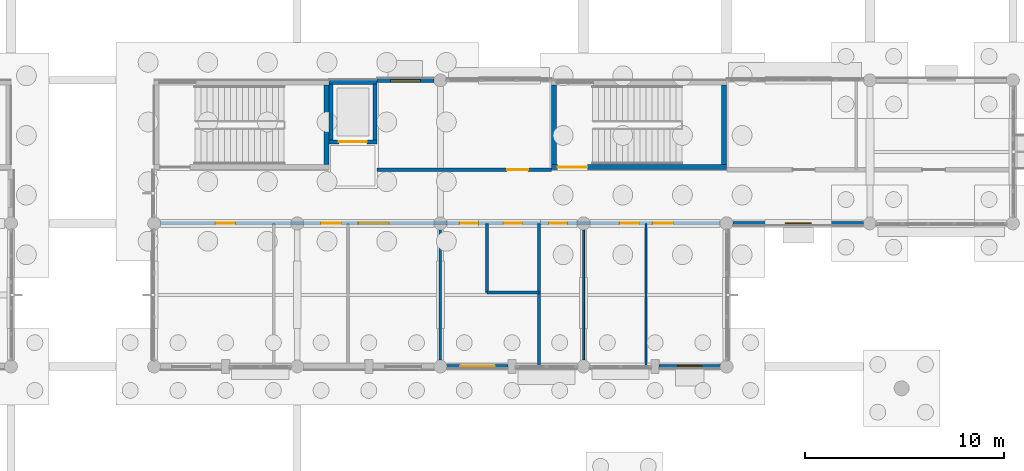
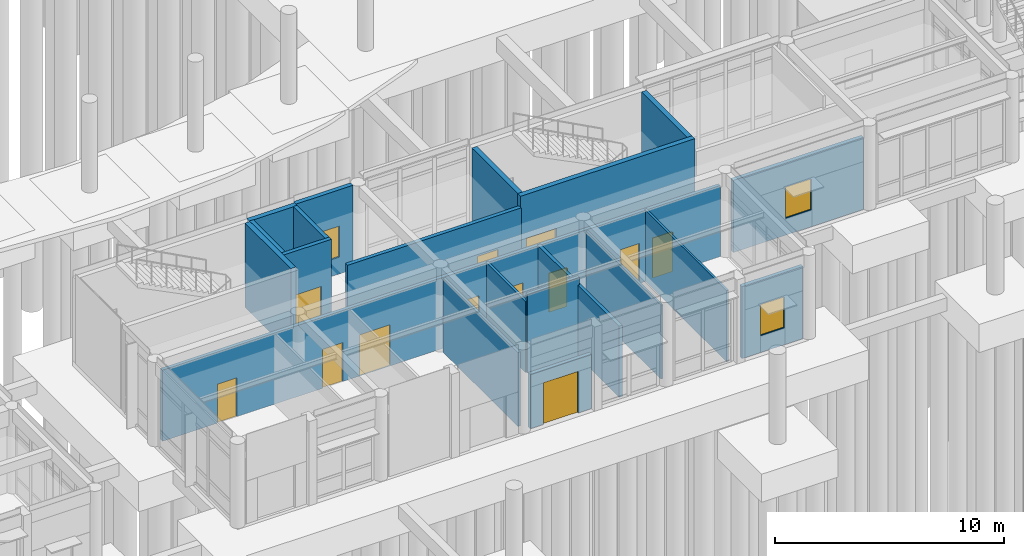
# One storey, part 55 of 103: 20 walls, 12 doors, 3 windows, 15 openings.
"""IFC4 building model written with IfcOpenShell, lengths in metres."""

from ifc_helpers import new_model, si_unit, direction, frame, frame_2d, origin, place, context, subcontext, project, spatial, rectangle, extrude, material, layer, layer_set, type_object, element, fill, save


model = new_model("IFC4")

# Units and contexts
model_context = context("Model", 3, precision=1e-05, world=origin(), true_north=direction((0.0, 1.0)))
body_context = subcontext(model_context, "Body", "Model", "MODEL_VIEW")
ifc_project = project(units=[si_unit("LENGTHUNIT", "METRE"), si_unit("AREAUNIT", "SQUARE_METRE"), si_unit("VOLUMEUNIT", "CUBIC_METRE"), si_unit("PLANEANGLEUNIT", "RADIAN"), si_unit("MASSUNIT", "GRAM", prefix="KILO")], contexts=[model_context])

# Site, building, storey
site_placement = place(None, origin())
site = spatial("IfcSite", under=ifc_project, at=site_placement, CompositionType="ELEMENT")
building_placement = place(site_placement, origin())
building = spatial("IfcBuilding", under=site, at=building_placement, Name="Namkhue Oval Health Centre", CompositionType="ELEMENT")
storey_placement = place(building_placement, origin())
storey = spatial("IfcBuildingStorey", under=building, at=storey_placement, Name="L00", CompositionType="ELEMENT", Elevation=0.0)

# Wall, opening, door
ifc_material_1 = material(Name="Autoclaved aerated concrete blockwork M7.5", Category="masonry")
ifc_layer_1 = layer(ifc_material_1, 0.179931640625)
ifc_layer_set_1 = layer_set([ifc_layer_1], Name="Autoclaved aerated concrete blockwork M7.5")
wall_type_1 = type_object("IfcWallType", Name="EXTERIOR ENVELOPE WALL 180", PredefinedType="STANDARD", material=ifc_layer_set_1)
wall_1_placement = place(storey_placement, frame((108.320068359375, 14.39990234375, 0.0), z_axis=(0.0, 0.0, 1.0), x_axis=(1.0, 0.0, 0.0)))
wall_1 = element("IfcWall", 1, at=wall_1_placement, inside=storey, type_object=wall_type_1, Name="Volume V5 L00 Exterior Envelope Wall 113", PredefinedType="STANDARD", context=body_context, shape_type="SweptSolid", body=[
    extrude(rectangle(XDim=3.083984375, YDim=0.179931640625, at=frame_2d((1.5419921875, 0.0))), origin(), (0.0, 0.0, 1.0), 2.89990234375),
])
opening_1_placement = place(wall_1_placement, frame((0.6669921875, 0.0, 0.0)))
opening_1 = element("IfcOpeningElement", 2, at=opening_1_placement, cuts=wall_1, Name="Opening ED-03", PredefinedType="OPENING", context=body_context, shape_type="SweptSolid", body=[
    extrude(rectangle(XDim=1.75, YDim=2.219970703125, at=frame_2d((0.875, 1.10986328125))), frame((0.0, 0.099853515625, 0.0), z_axis=(0.0, -1.0, 0.0), x_axis=(1.0, 0.0, 0.0)), (0.0, 0.0, 1.0), 0.199951171875),
])
ifc_material_2 = material(Name="Anodised aluminium glazed entrance door", Category="aluminium")
door_type_1 = type_object("IfcDoorType", Name="ENTRANCE DOOR 1750X2220", OperationType="DOUBLE_DOOR_SINGLE_SWING", PredefinedType="DOOR", material=ifc_material_2)
door_1_placement = place(opening_1_placement, frame((1.75, 0.0, 0.0), z_axis=(0.0, 0.0, 1.0), x_axis=(-1.0, 0.0, 0.0)))
door_1 = element("IfcDoor", 3, at=door_1_placement, inside=storey, type_object=door_type_1, Name="Volume V5 Main Pedestrian Entrance Exit Door 15", OperationType="DOUBLE_DOOR_SINGLE_SWING", OverallHeight=2.219970703125, OverallWidth=1.75, PredefinedType="DOOR", context=body_context, shape_type="SweptSolid", body=[
    extrude(rectangle(XDim=1.75, YDim=2.219970703125, at=frame_2d((0.875, 1.10986328125))), frame((0.0, 0.02490234375, 0.0), z_axis=(0.0, -1.0, 0.0), x_axis=(1.0, 0.0, 0.0)), (0.0, 0.0, 1.0), 0.050048828125),
])
fill(opening_1, door_1)

# Wall, opening, window
ifc_layer_2 = layer(ifc_material_1, 0.18994140625)
ifc_layer_set_2 = layer_set([ifc_layer_2], Name="Autoclaved aerated concrete blockwork M7.5")
wall_type_2 = type_object("IfcWallType", Name="EXTERIOR ENVELOPE WALL 190", PredefinedType="STANDARD", material=ifc_layer_set_2)
wall_2_placement = place(storey_placement, frame((118.99609375, 14.39990234375, 0.0), z_axis=(0.0, 0.0, 1.0), x_axis=(1.0, 0.0, 0.0)))
wall_2 = element("IfcWall", 4, at=wall_2_placement, inside=storey, type_object=wall_type_2, Name="Volume V5 L00 Exterior Envelope Wall 114", PredefinedType="STANDARD", context=body_context, shape_type="SweptSolid", body=[
    extrude(rectangle(XDim=3.083984375, YDim=0.18994140625, at=frame_2d((1.5419921875, 0.0))), origin(), (0.0, 0.0, 1.0), 3.844970703125),
])
opening_2_placement = place(wall_2_placement, frame((0.94189453125, 0.0, 0.89990234375)))
opening_2 = element("IfcOpeningElement", 5, at=opening_2_placement, cuts=wall_2, Name="Opening WN-31", PredefinedType="OPENING", context=body_context, shape_type="SweptSolid", body=[
    extrude(rectangle(XDim=1.199951171875, YDim=1.659912109375, at=frame_2d((0.60009765625, 0.830078125))), frame((0.0, 0.10498046875, 0.0), z_axis=(0.0, -1.0, 0.0), x_axis=(1.0, 0.0, 0.0)), (0.0, 0.0, 1.0), 0.2099609375),
])
ifc_material_3 = material(Name="Thermally broken low-E laminated double glazing", Category="glass")
window_type_1 = type_object("IfcWindowType", Name="EXTERIOR WINDOW 1200X1660", PartitioningType="SINGLE_PANEL", PredefinedType="WINDOW", material=ifc_material_3)
window_1_placement = place(opening_2_placement, origin())
window_1 = element("IfcWindow", 6, at=window_1_placement, inside=storey, type_object=window_type_1, Name="Volume V5 L00 Exterior Window 76", OverallHeight=1.659912109375, OverallWidth=1.199951171875, PartitioningType="SINGLE_PANEL", PredefinedType="WINDOW", context=body_context, shape_type="SweptSolid", body=[
    extrude(rectangle(XDim=1.199951171875, YDim=1.659912109375, at=frame_2d((0.60009765625, 0.830078125))), frame((0.0, 0.030029296875, 0.0), z_axis=(0.0, -1.0, 0.0), x_axis=(1.0, 0.0, 0.0)), (0.0, 0.0, 1.0), 0.06005859375),
])
fill(opening_2, window_1)

ifc_layer_3 = layer(ifc_material_1, 0.199951171875)
ifc_layer_set_3 = layer_set([ifc_layer_3], Name="Autoclaved aerated concrete blockwork M7.5")
wall_type_3 = type_object("IfcWallType", Name="EXTERIOR ENVELOPE WALL 200", PredefinedType="STANDARD", material=ifc_layer_set_3)
wall_3_placement = place(storey_placement, frame((122.719970703125, 21.60009765625, 0.0), z_axis=(0.0, 0.0, 1.0), x_axis=(1.0, 0.0, 0.0)))
wall_3 = element("IfcWall", 7, at=wall_3_placement, inside=storey, type_object=wall_type_3, Name="Volume V5 L00 Exterior Envelope Wall 115", PredefinedType="STANDARD", context=body_context, shape_type="SweptSolid", body=[
    extrude(rectangle(XDim=6.56005859375, YDim=0.199951171875, at=frame_2d((3.280029296875, 0.0))), origin(), (0.0, 0.0, 1.0), 3.844970703125),
])
opening_3_placement = place(wall_3_placement, frame((2.6298828125, 0.0, 0.89990234375)))
opening_3 = element("IfcOpeningElement", 8, at=opening_3_placement, cuts=wall_3, Name="Opening WN-32", PredefinedType="OPENING", context=body_context, shape_type="SweptSolid", body=[
    extrude(rectangle(XDim=1.300048828125, YDim=1.659912109375, at=frame_2d((0.64990234375, 0.830078125))), frame((0.0, 0.10986328125, 0.0), z_axis=(0.0, -1.0, 0.0), x_axis=(1.0, 0.0, 0.0)), (0.0, 0.0, 1.0), 0.219970703125),
])
window_type_2 = type_object("IfcWindowType", Name="EXTERIOR WINDOW 1300X1660", PartitioningType="SINGLE_PANEL", PredefinedType="WINDOW", material=ifc_material_3)
window_2_placement = place(opening_3_placement, origin())
window_2 = element("IfcWindow", 9, at=window_2_placement, inside=storey, type_object=window_type_2, Name="Volume V5 L00 Exterior Window 77", OverallHeight=1.659912109375, OverallWidth=1.300048828125, PartitioningType="SINGLE_PANEL", PredefinedType="WINDOW", context=body_context, shape_type="SweptSolid", body=[
    extrude(rectangle(XDim=1.300048828125, YDim=1.659912109375, at=frame_2d((0.64990234375, 0.830078125))), frame((0.0, 0.030029296875, 0.0), z_axis=(0.0, -1.0, 0.0), x_axis=(1.0, 0.0, 0.0)), (0.0, 0.0, 1.0), 0.06005859375),
])
fill(opening_3, window_2)

ifc_layer_4 = layer(ifc_material_1, 0.219970703125)
ifc_layer_set_4 = layer_set([ifc_layer_4], Name="Autoclaved aerated concrete blockwork M7.5")
wall_type_4 = type_object("IfcWallType", Name="EXTERIOR ENVELOPE WALL 220", PredefinedType="STANDARD", material=ifc_layer_set_4)
wall_4_placement = place(storey_placement, frame((107.679931640625, 28.800048828125, 0.0), z_axis=(0.0, 0.0, 1.0), x_axis=(-1.0, 0.0, 0.0)))
wall_4 = element("IfcWall", 10, at=wall_4_placement, inside=storey, type_object=wall_type_4, Name="Volume V5 L00 Exterior Envelope Wall 117", PredefinedType="STANDARD", context=body_context, shape_type="SweptSolid", body=[
    extrude(rectangle(XDim=2.8779296875, YDim=0.219970703125, at=frame_2d((1.43896484375, 0.0))), origin(), (0.0, 0.0, 1.0), 4.4951171875),
])
opening_4_placement = place(wall_4_placement, frame((0.68896484375, 0.0, 0.89990234375)))
opening_4 = element("IfcOpeningElement", 11, at=opening_4_placement, cuts=wall_4, Name="Opening WN-34", PredefinedType="OPENING", context=body_context, shape_type="SweptSolid", body=[
    extrude(rectangle(XDim=1.5, YDim=1.659912109375, at=frame_2d((0.75, 0.830078125))), frame((0.0, 0.119873046875, 0.0), z_axis=(0.0, -1.0, 0.0), x_axis=(1.0, 0.0, 0.0)), (0.0, 0.0, 1.0), 0.239990234375),
])
window_type_3 = type_object("IfcWindowType", Name="EXTERIOR WINDOW 1500X1660", PartitioningType="SINGLE_PANEL", PredefinedType="WINDOW", material=ifc_material_3)
window_3_placement = place(opening_4_placement, origin())
window_3 = element("IfcWindow", 12, at=window_3_placement, inside=storey, type_object=window_type_3, Name="Volume V5 L00 Exterior Window 79", OverallHeight=1.659912109375, OverallWidth=1.5, PartitioningType="SINGLE_PANEL", PredefinedType="WINDOW", context=body_context, shape_type="SweptSolid", body=[
    extrude(rectangle(XDim=1.5, YDim=1.659912109375, at=frame_2d((0.75, 0.830078125))), frame((0.0, 0.030029296875, 0.0), z_axis=(0.0, -1.0, 0.0), x_axis=(1.0, 0.0, 0.0)), (0.0, 0.0, 1.0), 0.06005859375),
])
fill(opening_4, window_3)

# Wall, openings, doors
ifc_material_4 = material(Name="Gypsum plasterboard acoustic partition", Category="gypsum")
ifc_layer_5 = layer(ifc_material_4, 0.169921875)
ifc_layer_set_5 = layer_set([ifc_layer_5], Name="Gypsum plasterboard acoustic partition")
wall_type_5 = type_object("IfcWallType", Name="FIRE PARTITION WALL 170", PredefinedType="PARTITIONING", material=ifc_layer_set_5)
wall_5_placement = place(storey_placement, frame((93.925048828125, 21.60009765625, 0.0), z_axis=(0.0, 0.0, 1.0), x_axis=(1.0, 0.0, 0.0)))
wall_5 = element("IfcWall", 13, at=wall_5_placement, inside=storey, type_object=wall_type_5, Name="Volume V5 L00 Clinical Partition Wall 204", PredefinedType="PARTITIONING", context=body_context, shape_type="SweptSolid", body=[
    extrude(rectangle(XDim=28.14990234375, YDim=0.169921875, at=frame_2d((14.074951171875, 0.0))), origin(), (0.0, 0.0, 1.0), 3.794921875),
])
opening_5_placement = place(wall_5_placement, frame((2.76806640625, 0.0, 0.0)))
opening_5 = element("IfcOpeningElement", 14, at=opening_5_placement, cuts=wall_5, Name="Opening CD-03", PredefinedType="OPENING", context=body_context, shape_type="SweptSolid", body=[
    extrude(rectangle(XDim=0.97998046875, YDim=2.080078125, at=frame_2d((0.489990234375, 1.0400390625))), frame((0.0, 0.094970703125, 0.0), z_axis=(0.0, -1.0, 0.0), x_axis=(1.0, 0.0, 0.0)), (0.0, 0.0, 1.0), 0.18994140625),
])
opening_6_placement = place(wall_5_placement, frame((8.080078125, 0.0, 0.0)))
opening_6 = element("IfcOpeningElement", 15, at=opening_6_placement, cuts=wall_5, Name="Opening CD-04", PredefinedType="OPENING", context=body_context, shape_type="SweptSolid", body=[
    extrude(rectangle(XDim=1.02001953125, YDim=2.080078125, at=frame_2d((0.510009765625, 1.0400390625))), frame((0.0, 0.094970703125, 0.0), z_axis=(0.0, -1.0, 0.0), x_axis=(1.0, 0.0, 0.0)), (0.0, 0.0, 1.0), 0.18994140625),
])
opening_7_placement = place(wall_5_placement, frame((9.949951171875, 0.0, 0.0)))
opening_7 = element("IfcOpeningElement", 16, at=opening_7_placement, cuts=wall_5, Name="Opening CDD-04", PredefinedType="OPENING", context=body_context, shape_type="SweptSolid", body=[
    extrude(rectangle(XDim=1.5400390625, YDim=2.199951171875, at=frame_2d((0.77001953125, 1.10009765625))), frame((0.0, 0.094970703125, 0.0), z_axis=(0.0, -1.0, 0.0), x_axis=(1.0, 0.0, 0.0)), (0.0, 0.0, 1.0), 0.18994140625),
])
opening_8_placement = place(wall_5_placement, frame((15.054931640625, 0.0, 0.0)))
opening_8 = element("IfcOpeningElement", 17, at=opening_8_placement, cuts=wall_5, Name="Opening CD-13", PredefinedType="OPENING", context=body_context, shape_type="SweptSolid", body=[
    extrude(rectangle(XDim=0.919921875, YDim=2.179931640625, at=frame_2d((0.4599609375, 1.08984375))), frame((0.0, 0.094970703125, 0.0), z_axis=(0.0, -1.0, 0.0), x_axis=(1.0, 0.0, 0.0)), (0.0, 0.0, 1.0), 0.18994140625),
])
opening_9_placement = place(wall_5_placement, frame((17.2548828125, 0.0, 0.0)))
opening_9 = element("IfcOpeningElement", 18, at=opening_9_placement, cuts=wall_5, Name="Opening CD-02", PredefinedType="OPENING", context=body_context, shape_type="SweptSolid", body=[
    extrude(rectangle(XDim=0.93994140625, YDim=2.080078125, at=frame_2d((0.469970703125, 1.0400390625))), frame((0.0, 0.094970703125, 0.0), z_axis=(0.0, -1.0, 0.0), x_axis=(1.0, 0.0, 0.0)), (0.0, 0.0, 1.0), 0.18994140625),
])
opening_10_placement = place(wall_5_placement, frame((19.544921875, 0.0, 0.0)))
opening_10 = element("IfcOpeningElement", 19, at=opening_10_placement, cuts=wall_5, Name="Opening CD-01", PredefinedType="OPENING", context=body_context, shape_type="SweptSolid", body=[
    extrude(rectangle(XDim=0.89990234375, YDim=2.080078125, at=frame_2d((0.449951171875, 1.0400390625))), frame((0.0, 0.094970703125, 0.0), z_axis=(0.0, -1.0, 0.0), x_axis=(1.0, 0.0, 0.0)), (0.0, 0.0, 1.0), 0.18994140625),
])
opening_11_placement = place(wall_5_placement, frame((23.110107421875, 0.0, 0.0)))
opening_11 = element("IfcOpeningElement", 20, at=opening_11_placement, cuts=wall_5, Name="Opening CD-08", PredefinedType="OPENING", context=body_context, shape_type="SweptSolid", body=[
    extrude(rectangle(XDim=0.949951171875, YDim=2.1298828125, at=frame_2d((0.47509765625, 1.06494140625))), frame((0.0, 0.094970703125, 0.0), z_axis=(0.0, -1.0, 0.0), x_axis=(1.0, 0.0, 0.0)), (0.0, 0.0, 1.0), 0.18994140625),
])
opening_12_placement = place(wall_5_placement, frame((24.764892578125, 0.0, 0.0)))
opening_12 = element("IfcOpeningElement", 21, at=opening_12_placement, cuts=wall_5, Name="Opening CD-09", PredefinedType="OPENING", context=body_context, shape_type="SweptSolid", body=[
    extrude(rectangle(XDim=1.0, YDim=2.1298828125, at=frame_2d((0.5, 1.06494140625))), frame((0.0, 0.094970703125, 0.0), z_axis=(0.0, -1.0, 0.0), x_axis=(1.0, 0.0, 0.0)), (0.0, 0.0, 1.0), 0.18994140625),
])
ifc_material_5 = material(Name="High-pressure laminate timber clinical door", Category="wood")
door_type_2 = type_object("IfcDoorType", Name="CLINICAL DOOR 1000X2130", OperationType="NOTDEFINED", PredefinedType="DOOR", material=ifc_material_5)
door_2_placement = place(opening_12_placement, frame((1.0, 0.0, 0.0), z_axis=(0.0, 0.0, 1.0), x_axis=(-1.0, 0.0, 0.0)))
door_2 = element("IfcDoor", 22, at=door_2_placement, inside=storey, type_object=door_type_2, Name="Volume V5 L00 Dental Operatory Suite Door 183", OperationType="SINGLE_SWING_LEFT", OverallHeight=2.1298828125, OverallWidth=1.0, PredefinedType="DOOR", context=body_context, shape_type="SweptSolid", body=[
    extrude(rectangle(XDim=1.0, YDim=2.1298828125, at=frame_2d((0.5, 1.06494140625))), frame((0.0, 0.02490234375, 0.0), z_axis=(0.0, -1.0, 0.0), x_axis=(1.0, 0.0, 0.0)), (0.0, 0.0, 1.0), 0.050048828125),
])
fill(opening_12, door_2)
door_type_3 = type_object("IfcDoorType", Name="CLINICAL DOOR 1020X2080", OperationType="NOTDEFINED", PredefinedType="DOOR", material=ifc_material_5)
door_3_placement = place(opening_6_placement, frame((1.02001953125, 0.0, 0.0), z_axis=(0.0, 0.0, 1.0), x_axis=(-1.0, 0.0, 0.0)))
door_3 = element("IfcDoor", 23, at=door_3_placement, inside=storey, type_object=door_type_3, Name="Volume V5 L00 Dental Sterilisation CSSD Door 177", OperationType="SINGLE_SWING_LEFT", OverallHeight=2.080078125, OverallWidth=1.02001953125, PredefinedType="DOOR", context=body_context, shape_type="SweptSolid", body=[
    extrude(rectangle(XDim=1.02001953125, YDim=2.080078125, at=frame_2d((0.510009765625, 1.0400390625))), frame((0.0, 0.02490234375, 0.0), z_axis=(0.0, -1.0, 0.0), x_axis=(1.0, 0.0, 0.0)), (0.0, 0.0, 1.0), 0.050048828125),
])
fill(opening_6, door_3)
door_type_4 = type_object("IfcDoorType", Name="CLINICAL DOOR 900X2080", OperationType="NOTDEFINED", PredefinedType="DOOR", material=ifc_material_5)
door_4_placement = place(opening_10_placement, frame((0.89990234375, 0.0, 0.0), z_axis=(0.0, 0.0, 1.0), x_axis=(-1.0, 0.0, 0.0)))
door_4 = element("IfcDoor", 24, at=door_4_placement, inside=storey, type_object=door_type_4, Name="Volume V5 L00 Patient Washroom Door 181", OperationType="SINGLE_SWING_RIGHT", OverallHeight=2.080078125, OverallWidth=0.89990234375, PredefinedType="DOOR", context=body_context, shape_type="SweptSolid", body=[
    extrude(rectangle(XDim=0.89990234375, YDim=2.080078125, at=frame_2d((0.449951171875, 1.0400390625))), frame((0.0, 0.02490234375, 0.0), z_axis=(0.0, -1.0, 0.0), x_axis=(1.0, 0.0, 0.0)), (0.0, 0.0, 1.0), 0.050048828125),
])
fill(opening_10, door_4)
door_type_5 = type_object("IfcDoorType", Name="CLINICAL DOOR 920X2180", OperationType="NOTDEFINED", PredefinedType="DOOR", material=ifc_material_5)
door_5_placement = place(opening_8_placement, frame((0.919921875, 0.0, 0.0), z_axis=(0.0, 0.0, 1.0), x_axis=(-1.0, 0.0, 0.0)))
door_5 = element("IfcDoor", 25, at=door_5_placement, inside=storey, type_object=door_type_5, Name="Volume V5 L00 Dental Instrument Clean Utility Door 179", OperationType="SINGLE_SWING_LEFT", OverallHeight=2.179931640625, OverallWidth=0.919921875, PredefinedType="DOOR", context=body_context, shape_type="SweptSolid", body=[
    extrude(rectangle(XDim=0.919921875, YDim=2.179931640625, at=frame_2d((0.4599609375, 1.08984375))), frame((0.0, 0.02490234375, 0.0), z_axis=(0.0, -1.0, 0.0), x_axis=(1.0, 0.0, 0.0)), (0.0, 0.0, 1.0), 0.050048828125),
])
fill(opening_8, door_5)
door_type_6 = type_object("IfcDoorType", Name="CLINICAL DOOR 940X2080", OperationType="NOTDEFINED", PredefinedType="DOOR", material=ifc_material_5)
door_6_placement = place(opening_9_placement, frame((0.93994140625, 0.0, 0.0), z_axis=(0.0, 0.0, 1.0), x_axis=(-1.0, 0.0, 0.0)))
door_6 = element("IfcDoor", 26, at=door_6_placement, inside=storey, type_object=door_type_6, Name="Volume V5 L00 Accessible WC Door 180", OperationType="SINGLE_SWING_RIGHT", OverallHeight=2.080078125, OverallWidth=0.93994140625, PredefinedType="DOOR", context=body_context, shape_type="SweptSolid", body=[
    extrude(rectangle(XDim=0.93994140625, YDim=2.080078125, at=frame_2d((0.469970703125, 1.0400390625))), frame((0.0, 0.02490234375, 0.0), z_axis=(0.0, -1.0, 0.0), x_axis=(1.0, 0.0, 0.0)), (0.0, 0.0, 1.0), 0.050048828125),
])
fill(opening_9, door_6)
door_type_7 = type_object("IfcDoorType", Name="CLINICAL DOOR 950X2130", OperationType="NOTDEFINED", PredefinedType="DOOR", material=ifc_material_5)
door_7_placement = place(opening_11_placement, frame((0.949951171875, 0.0, 0.0), z_axis=(0.0, 0.0, 1.0), x_axis=(-1.0, 0.0, 0.0)))
door_7 = element("IfcDoor", 27, at=door_7_placement, inside=storey, type_object=door_type_7, Name="Volume V5 L00 Paediatric Dental Room Door 182", OperationType="SINGLE_SWING_RIGHT", OverallHeight=2.1298828125, OverallWidth=0.949951171875, PredefinedType="DOOR", context=body_context, shape_type="SweptSolid", body=[
    extrude(rectangle(XDim=0.949951171875, YDim=2.1298828125, at=frame_2d((0.47509765625, 1.06494140625))), frame((0.0, 0.02490234375, 0.0), z_axis=(0.0, -1.0, 0.0), x_axis=(1.0, 0.0, 0.0)), (0.0, 0.0, 1.0), 0.050048828125),
])
fill(opening_11, door_7)
door_type_8 = type_object("IfcDoorType", Name="CLINICAL DOOR 980X2080", OperationType="NOTDEFINED", PredefinedType="DOOR", material=ifc_material_5)
door_8_placement = place(opening_5_placement, frame((0.97998046875, 0.0, 0.0), z_axis=(0.0, 0.0, 1.0), x_axis=(-1.0, 0.0, 0.0)))
door_8 = element("IfcDoor", 28, at=door_8_placement, inside=storey, type_object=door_type_8, Name="Volume V5 L00 Dental Clinic Reception Door 176", OperationType="SINGLE_SWING_LEFT", OverallHeight=2.080078125, OverallWidth=0.97998046875, PredefinedType="DOOR", context=body_context, shape_type="SweptSolid", body=[
    extrude(rectangle(XDim=0.97998046875, YDim=2.080078125, at=frame_2d((0.489990234375, 1.0400390625))), frame((0.0, 0.02490234375, 0.0), z_axis=(0.0, -1.0, 0.0), x_axis=(1.0, 0.0, 0.0)), (0.0, 0.0, 1.0), 0.050048828125),
])
fill(opening_5, door_8)
ifc_material_6 = material(Name="Powder-coated steel fire door assembly", Category="steel")
door_type_9 = type_object("IfcDoorType", Name="CLINICAL DOOR DOUBLE 1540X2200", OperationType="DOUBLE_DOOR_SINGLE_SWING", PredefinedType="DOOR", material=ifc_material_6)
door_9_placement = place(opening_7_placement, frame((1.5400390625, 0.0, 0.0), z_axis=(0.0, 0.0, 1.0), x_axis=(-1.0, 0.0, 0.0)))
door_9 = element("IfcDoor", 29, at=door_9_placement, inside=storey, type_object=door_type_9, Name="Volume V5 L00 Shielded OPG Dental X Ray Door 178", OperationType="DOUBLE_DOOR_SINGLE_SWING", OverallHeight=2.199951171875, OverallWidth=1.5400390625, PredefinedType="DOOR", context=body_context, shape_type="SweptSolid", body=[
    extrude(rectangle(XDim=1.5400390625, YDim=2.199951171875, at=frame_2d((0.77001953125, 1.10009765625))), frame((0.0, 0.02490234375, 0.0), z_axis=(0.0, -1.0, 0.0), x_axis=(1.0, 0.0, 0.0)), (0.0, 0.0, 1.0), 0.050048828125),
])
fill(opening_7, door_9)

# Wall, opening, door
ifc_layer_6 = layer(ifc_material_4, 0.195068359375)
ifc_layer_set_6 = layer_set([ifc_layer_6], Name="Gypsum plasterboard acoustic partition")
wall_type_6 = type_object("IfcWallType", Name="FIRE PARTITION WALL 195", PredefinedType="PARTITIONING", material=ifc_layer_set_6)
wall_6_placement = place(storey_placement, frame((104.820068359375, 24.300048828125, 0.0), z_axis=(0.0, 0.0, 1.0), x_axis=(1.0, 0.0, 0.0)))
wall_6 = element("IfcWall", 30, at=wall_6_placement, inside=storey, type_object=wall_type_6, Name="Volume V5 L00 Clinical Partition Wall 213", PredefinedType="PARTITIONING", context=body_context, shape_type="SweptSolid", body=[
    extrude(rectangle(XDim=8.760009765625, YDim=0.195068359375, at=frame_2d((4.3798828125, 0.0))), origin(), (0.0, 0.0, 1.0), 3.945068359375),
])
opening_13_placement = place(wall_6_placement, frame((6.5400390625, 0.0, 0.0)))
opening_13 = element("IfcOpeningElement", 31, at=opening_13_placement, cuts=wall_6, Name="Opening CD-10", PredefinedType="OPENING", context=body_context, shape_type="SweptSolid", body=[
    extrude(rectangle(XDim=1.050048828125, YDim=2.1298828125, at=frame_2d((0.52490234375, 1.06494140625))), frame((0.0, 0.107421875, 0.0), z_axis=(0.0, -1.0, 0.0), x_axis=(1.0, 0.0, 0.0)), (0.0, 0.0, 1.0), 0.215087890625),
])
door_type_10 = type_object("IfcDoorType", Name="CLINICAL DOOR 1050X2130", OperationType="NOTDEFINED", PredefinedType="DOOR", material=ifc_material_5)
door_10_placement = place(opening_13_placement, origin())
door_10 = element("IfcDoor", 32, at=door_10_placement, inside=storey, type_object=door_type_10, Name="Volume V5 L00 Endodontics Microscope Suite Door 184", OperationType="SINGLE_SWING_RIGHT", OverallHeight=2.1298828125, OverallWidth=1.050048828125, PredefinedType="DOOR", context=body_context, shape_type="SweptSolid", body=[
    extrude(rectangle(XDim=1.050048828125, YDim=2.1298828125, at=frame_2d((0.52490234375, 1.06494140625))), frame((0.0, 0.02490234375, 0.0), z_axis=(0.0, -1.0, 0.0), x_axis=(1.0, 0.0, 0.0)), (0.0, 0.0, 1.0), 0.050048828125),
])
fill(opening_13, door_10)

# Walls
ifc_layer_7 = layer(ifc_material_4, 0.10009765625)
ifc_layer_set_7 = layer_set([ifc_layer_7], Name="Gypsum plasterboard acoustic partition")
wall_type_7 = type_object("IfcWallType", Name="INTERIOR PARTITION WALL 100", PredefinedType="PARTITIONING", material=ifc_layer_set_7)
wall_7_placement = place(storey_placement, frame((115.199951171875, 14.72509765625, 0.0), z_axis=(0.0, 0.0, 1.0), x_axis=(0.0, 1.0, 0.0)))
element("IfcWall", 33, at=wall_7_placement, inside=storey, type_object=wall_type_7, Name="Volume V5 L00 Clinical Partition Wall 211", PredefinedType="PARTITIONING", context=body_context, shape_type="SweptSolid", body=[
    extrude(rectangle(XDim=6.5498046875, YDim=0.10009765625, at=frame_2d((3.27490234375, 0.0))), origin(), (0.0, 0.0, 1.0), 3.945068359375),
])
ifc_layer_8 = layer(ifc_material_4, 0.110107421875)
ifc_layer_set_8 = layer_set([ifc_layer_8], Name="Gypsum plasterboard acoustic partition")
wall_type_8 = type_object("IfcWallType", Name="INTERIOR PARTITION WALL 110", PredefinedType="PARTITIONING", material=ifc_layer_set_8)
wall_8_placement = place(storey_placement, frame((118.35009765625, 14.43994140625, 0.0), z_axis=(0.0, 0.0, 1.0), x_axis=(0.0, 1.0, 0.0)))
element("IfcWall", 34, at=wall_8_placement, inside=storey, type_object=wall_type_8, Name="Volume V5 L00 Clinical Partition Wall 212", PredefinedType="PARTITIONING", context=body_context, shape_type="SweptSolid", body=[
    extrude(rectangle(XDim=7.16015625, YDim=0.110107421875, at=frame_2d((3.580078125, 0.0))), origin(), (0.0, 0.0, 1.0), 3.794921875),
])
ifc_layer_9 = layer(ifc_material_4, 0.1298828125)
ifc_layer_set_9 = layer_set([ifc_layer_9], Name="Gypsum plasterboard acoustic partition")
wall_type_9 = type_object("IfcWallType", Name="INTERIOR PARTITION WALL 130", PredefinedType="PARTITIONING", material=ifc_layer_set_9)
wall_9_placement = place(storey_placement, frame((108.0, 14.72509765625, 0.0), z_axis=(0.0, 0.0, 1.0), x_axis=(0.0, 1.0, 0.0)))
element("IfcWall", 35, at=wall_9_placement, inside=storey, type_object=wall_type_9, Name="Volume V5 L00 Clinical Partition Wall 207", PredefinedType="PARTITIONING", context=body_context, shape_type="SweptSolid", body=[
    extrude(rectangle(XDim=6.5498046875, YDim=0.1298828125, at=frame_2d((3.27490234375, 0.0))), origin(), (0.0, 0.0, 1.0), 3.945068359375),
])
ifc_layer_10 = layer(ifc_material_4, 0.139892578125)
ifc_layer_set_10 = layer_set([ifc_layer_10], Name="Gypsum plasterboard acoustic partition")
wall_type_10 = type_object("IfcWallType", Name="INTERIOR PARTITION WALL 140", PredefinedType="PARTITIONING", material=ifc_layer_set_10)
wall_10_placement = place(storey_placement, frame((110.340087890625, 18.1201171875, 0.0), z_axis=(0.0, 0.0, 1.0), x_axis=(0.0, 1.0, 0.0)))
element("IfcWall", 36, at=wall_10_placement, inside=storey, type_object=wall_type_10, Name="Volume V5 L00 Clinical Partition Wall 208", PredefinedType="PARTITIONING", context=body_context, shape_type="SweptSolid", body=[
    extrude(rectangle(XDim=3.47998046875, YDim=0.139892578125, at=frame_2d((1.739990234375, 0.0))), origin(), (0.0, 0.0, 1.0), 3.794921875),
])
ifc_layer_11 = layer(ifc_material_4, 0.14990234375)
ifc_layer_set_11 = layer_set([ifc_layer_11], Name="Gypsum plasterboard acoustic partition")
wall_type_11 = type_object("IfcWallType", Name="INTERIOR PARTITION WALL 150", PredefinedType="PARTITIONING", material=ifc_layer_set_11)
wall_11_placement = place(storey_placement, frame((110.340087890625, 18.1201171875, 0.0), z_axis=(0.0, 0.0, 1.0), x_axis=(1.0, 0.0, 0.0)))
element("IfcWall", 37, at=wall_11_placement, inside=storey, type_object=wall_type_11, Name="Volume V5 L00 Clinical Partition Wall 209", PredefinedType="PARTITIONING", context=body_context, shape_type="SweptSolid", body=[
    extrude(rectangle(XDim=2.619873046875, YDim=0.14990234375, at=frame_2d((1.31005859375, 0.0))), origin(), (0.0, 0.0, 1.0), 4.195068359375),
])
ifc_layer_12 = layer(ifc_material_4, 0.159912109375)
ifc_layer_set_12 = layer_set([ifc_layer_12], Name="Gypsum plasterboard acoustic partition")
wall_type_12 = type_object("IfcWallType", Name="INTERIOR PARTITION WALL 160", PredefinedType="PARTITIONING", material=ifc_layer_set_12)
wall_12_placement = place(storey_placement, frame((112.9599609375, 14.43994140625, 0.0), z_axis=(0.0, 0.0, 1.0), x_axis=(0.0, 1.0, 0.0)))
element("IfcWall", 38, at=wall_12_placement, inside=storey, type_object=wall_type_12, Name="Volume V5 L00 Clinical Partition Wall 210", PredefinedType="PARTITIONING", context=body_context, shape_type="SweptSolid", body=[
    extrude(rectangle(XDim=7.16015625, YDim=0.159912109375, at=frame_2d((3.580078125, 0.0))), origin(), (0.0, 0.0, 1.0), 3.794921875),
])
ifc_material_7 = material(Name="Reinforced concrete C35/45 (TCVN B40)", Category="concrete")
ifc_layer_13 = layer(ifc_material_7, 0.25)
ifc_layer_set_13 = layer_set([ifc_layer_13], Name="Reinforced concrete C35/45 (TCVN B40)")
wall_type_13 = type_object("IfcWallType", Name="SHEAR CORE WALL EXT 250", PredefinedType="SHEAR", material=ifc_layer_set_13)
wall_13_placement = place(storey_placement, frame((104.800048828125, 28.699951171875, 0.0), z_axis=(0.0, 0.0, 1.0), x_axis=(-1.0, 0.0, 0.0)))
element("IfcWall", 39, at=wall_13_placement, inside=storey, type_object=wall_type_13, Name="Lift LF-06 L00 Shaft Wall N", PredefinedType="SHEAR", context=body_context, shape_type="SweptSolid", body=[
    extrude(rectangle(XDim=2.400146484375, YDim=0.25, at=frame_2d((1.2001953125, 0.0))), origin(), (0.0, 0.0, 1.0), 4.4951171875),
])

# Wall, opening, door
ifc_layer_14 = layer(ifc_material_7, 0.199951171875)
ifc_layer_set_14 = layer_set([ifc_layer_14], Name="Reinforced concrete C35/45 (TCVN B40)")
wall_type_14 = type_object("IfcWallType", Name="SHEAR CORE WALL INT 200", PredefinedType="SHEAR", material=ifc_layer_set_14)
wall_14_placement = place(storey_placement, frame((102.39990234375, 25.699951171875, 0.0), z_axis=(0.0, 0.0, 1.0), x_axis=(1.0, 0.0, 0.0)))
wall_14 = element("IfcWall", 40, at=wall_14_placement, inside=storey, type_object=wall_type_14, Name="Lift LF-06 L00 Shaft Wall S", PredefinedType="SHEAR", context=body_context, shape_type="SweptSolid", body=[
    extrude(rectangle(XDim=2.400146484375, YDim=0.199951171875, at=frame_2d((1.2001953125, 0.0))), origin(), (0.0, 0.0, 1.0), 4.4951171875),
])
opening_14_placement = place(wall_14_placement, frame((0.5, 0.0, 0.0)))
opening_14 = element("IfcOpeningElement", 41, at=opening_14_placement, cuts=wall_14, Name="Opening LD-01", PredefinedType="OPENING", context=body_context, shape_type="SweptSolid", body=[
    extrude(rectangle(XDim=1.39990234375, YDim=2.14990234375, at=frame_2d((0.699951171875, 1.074951171875))), frame((0.0, 0.10986328125, 0.0), z_axis=(0.0, -1.0, 0.0), x_axis=(1.0, 0.0, 0.0)), (0.0, 0.0, 1.0), 0.219970703125),
])
door_type_11 = type_object("IfcDoorType", Name="LIFT LANDING DOOR STRETCHER 1400X2150", OperationType="DOUBLE_DOOR_SLIDING", PredefinedType="DOOR", material=ifc_material_6)
door_11_placement = place(opening_14_placement, frame((1.39990234375, 0.0, 0.0), z_axis=(0.0, 0.0, 1.0), x_axis=(-1.0, 0.0, 0.0)))
door_11 = element("IfcDoor", 42, at=door_11_placement, inside=storey, type_object=door_type_11, Name="Lift LF-06 L00 Sliding Landing Door", OperationType="DOUBLE_DOOR_SLIDING", OverallHeight=2.14990234375, OverallWidth=1.39990234375, PredefinedType="DOOR", context=body_context, shape_type="SweptSolid", body=[
    extrude(rectangle(XDim=1.39990234375, YDim=2.14990234375, at=frame_2d((0.699951171875, 1.074951171875))), frame((0.0, 0.02490234375, 0.0), z_axis=(0.0, -1.0, 0.0), x_axis=(1.0, 0.0, 0.0)), (0.0, 0.0, 1.0), 0.050048828125),
])
fill(opening_14, door_11)

# Walls
for number, where, z_axis, x_axis, name in (
    (43, (104.699951171875, 25.800048828125, 0.0), (0.0, 0.0, 1.0), (0.0, 1.0, 0.0), "Lift LF-06 L00 Shaft Wall E"),
    (44, (102.5, 28.60009765625, 0.0), (0.0, 0.0, 1.0), (0.0, -1.0, 0.0), "Lift LF-06 L00 Shaft Wall W"),
):
    element("IfcWall", number, at=place(storey_placement, frame(where, z_axis=z_axis, x_axis=x_axis)), inside=storey, type_object=wall_type_14, Name=name, PredefinedType="SHEAR", context=body_context, shape_type="SweptSolid", body=[
        extrude(rectangle(XDim=2.800048828125, YDim=0.199951171875, at=frame_2d((1.39990234375, 0.0))), origin(), (0.0, 0.0, 1.0), 4.4951171875),
    ])
ifc_layer_15 = layer(ifc_material_7, 0.25)
ifc_layer_set_15 = layer_set([ifc_layer_15], Name="Reinforced concrete C35/45 (TCVN B40)")
wall_type_15 = type_object("IfcWallType", Name="SHEAR CORE WALL INT 250", PredefinedType="SHEAR", material=ifc_layer_set_15)
wall_15_placement = place(storey_placement, frame((102.27490234375, 24.550048828125, 0.0), z_axis=(0.0, 0.0, 1.0), x_axis=(0.0, 1.0, 0.0)))
element("IfcWall", 45, at=wall_15_placement, inside=storey, type_object=wall_type_15, Name="Core SC-09 L00 Shear Wall E", PredefinedType="SHEAR", context=body_context, shape_type="SweptSolid", body=[
    extrude(rectangle(XDim=4.0, YDim=0.25, at=frame_2d((2.0, 0.0))), origin(), (0.0, 0.0, 1.0), 4.4951171875),
])

# Wall, opening, door
wall_16_placement = place(storey_placement, frame((113.60009765625, 24.425048828125, 0.0), z_axis=(0.0, 0.0, 1.0), x_axis=(1.0, 0.0, 0.0)))
wall_16 = element("IfcWall", 46, at=wall_16_placement, inside=storey, type_object=wall_type_15, Name="Core SC-10 L00 Shear Wall S", PredefinedType="SHEAR", context=body_context, shape_type="SweptSolid", body=[
    extrude(rectangle(XDim=8.7998046875, YDim=0.25, at=frame_2d((4.39990234375, 0.0))), origin(), (0.0, 0.0, 1.0), 4.4951171875),
])
opening_15_placement = place(wall_16_placement, frame((0.300048828125, 0.0, 0.0)))
opening_15 = element("IfcOpeningElement", 47, at=opening_15_placement, cuts=wall_16, Name="Opening SD-I1", PredefinedType="OPENING", context=body_context, shape_type="SweptSolid", body=[
    extrude(rectangle(XDim=1.5, YDim=2.14990234375, at=frame_2d((0.75, 1.074951171875))), frame((0.0, 0.135009765625, 0.0), z_axis=(0.0, -1.0, 0.0), x_axis=(1.0, 0.0, 0.0)), (0.0, 0.0, 1.0), 0.27001953125),
])
door_type_12 = type_object("IfcDoorType", Name="CLINICAL DOOR STAIR CORE 1500X2150", OperationType="DOUBLE_DOOR_SINGLE_SWING", PredefinedType="DOOR", material=ifc_material_6)
door_12_placement = place(opening_15_placement, origin())
door_12 = element("IfcDoor", 48, at=door_12_placement, inside=storey, type_object=door_type_12, Name="Stair ST-10 L00 Stair Enclosure Fire Door", OperationType="DOUBLE_DOOR_SINGLE_SWING", OverallHeight=2.14990234375, OverallWidth=1.5, PredefinedType="DOOR", context=body_context, shape_type="SweptSolid", body=[
    extrude(rectangle(XDim=1.5, YDim=2.14990234375, at=frame_2d((0.75, 1.074951171875))), frame((0.0, 0.02490234375, 0.0), z_axis=(0.0, -1.0, 0.0), x_axis=(1.0, 0.0, 0.0)), (0.0, 0.0, 1.0), 0.050048828125),
])
fill(opening_15, door_12)

# Walls
for number, where, z_axis, x_axis, name in (
    (49, (122.27490234375, 24.550048828125, 0.0), (0.0, 0.0, 1.0), (0.0, 1.0, 0.0), "Core SC-10 L00 Shear Wall E"),
    (50, (113.72509765625, 28.550048828125, 0.0), (0.0, 0.0, 1.0), (0.0, -1.0, 0.0), "Core SC-10 L00 Shear Wall W"),
):
    element("IfcWall", number, at=place(storey_placement, frame(where, z_axis=z_axis, x_axis=x_axis)), inside=storey, type_object=wall_type_15, Name=name, PredefinedType="SHEAR", context=body_context, shape_type="SweptSolid", body=[
        extrude(rectangle(XDim=4.0, YDim=0.25, at=frame_2d((2.0, 0.0))), origin(), (0.0, 0.0, 1.0), 4.4951171875),
    ])

save(model, "model.ifc")
